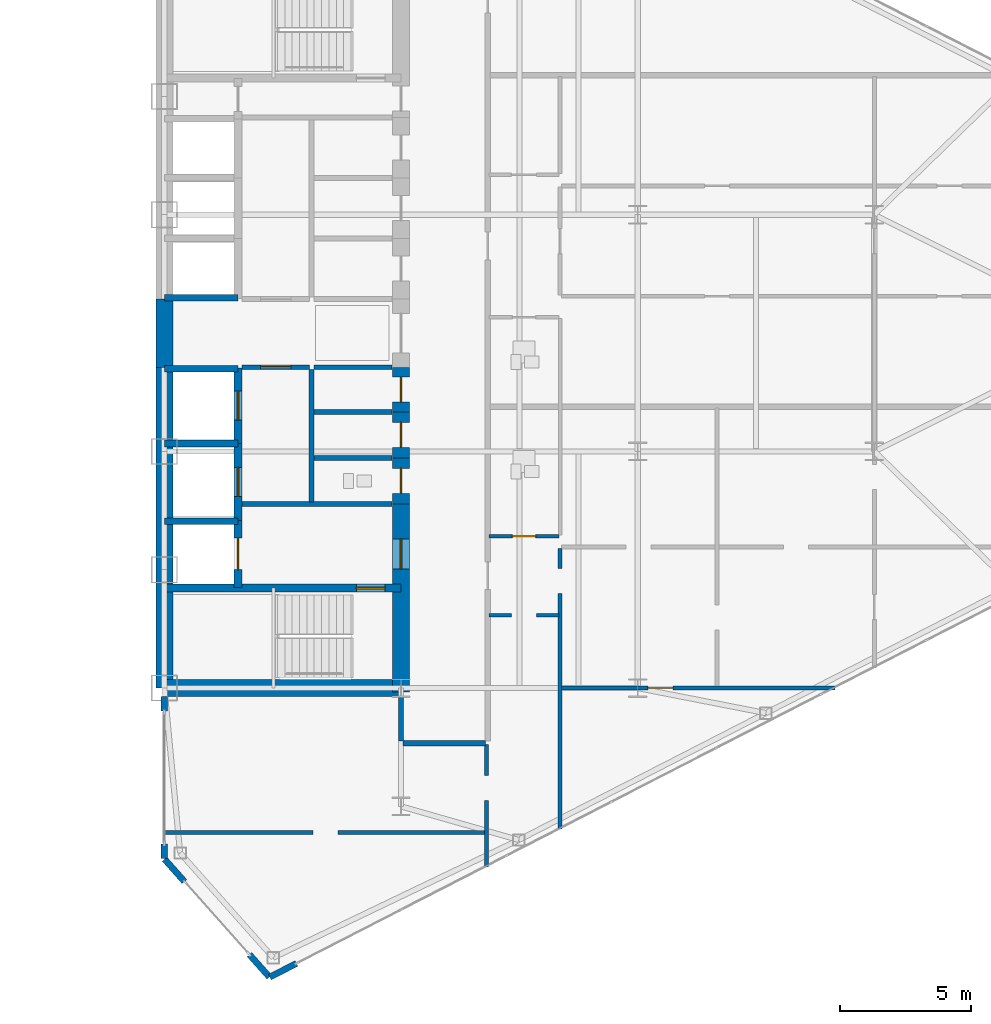
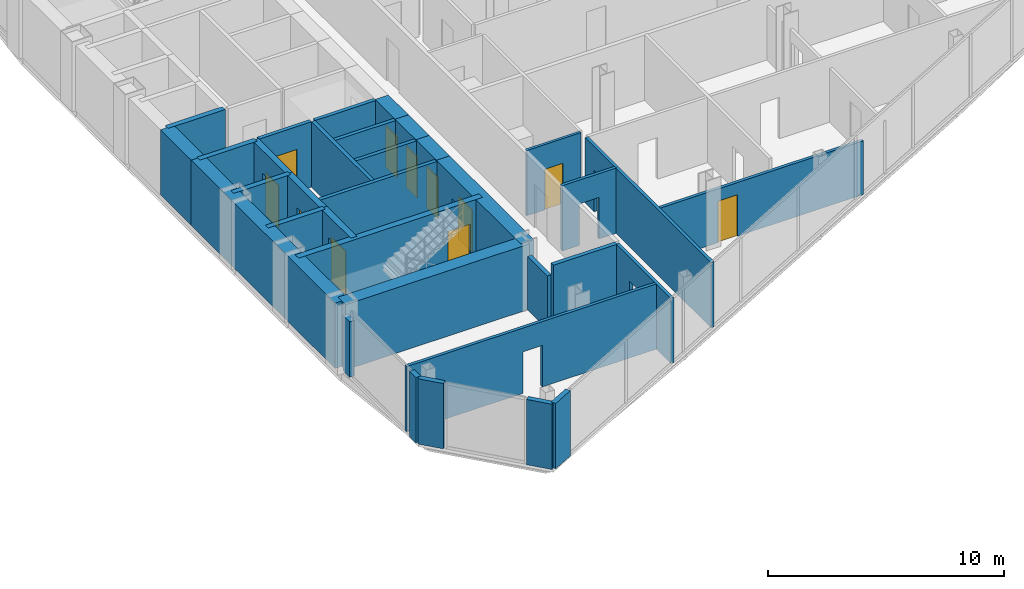
# One storey, part 19 of 24: 34 walls, 11 doors, 15 openings.
"""IFC4 building model written with IfcOpenShell, lengths in metres."""

from ifc_helpers import new_model, si_unit, direction, frame, frame_2d, origin, place, context, subcontext, project, spatial, rectangle, extrude, source, transform, mapped, material, layer, layer_set, type_object, type_shapes, element, fill, save


model = new_model("IFC4")

# Units and contexts
model_context = context("Model", 3, precision=1e-05, world=origin(), true_north=direction((0.0, 1.0)))
body_context = subcontext(model_context, "Body", "Model", "MODEL_VIEW")
ifc_project = project(units=[si_unit("LENGTHUNIT", "METRE"), si_unit("AREAUNIT", "SQUARE_METRE"), si_unit("VOLUMEUNIT", "CUBIC_METRE"), si_unit("PLANEANGLEUNIT", "RADIAN"), si_unit("MASSUNIT", "GRAM", prefix="KILO")], contexts=[model_context])

# Site, building, storey
site_placement = place(None, origin())
site = spatial("IfcSite", under=ifc_project, at=site_placement, CompositionType="ELEMENT")
building_placement = place(site_placement, origin())
building = spatial("IfcBuilding", under=site, at=building_placement, Name="Seokmaru Belvedere", CompositionType="ELEMENT")
storey_placement = place(building_placement, frame((0.0, 0.0, 121.199951171875)))
storey = spatial("IfcBuildingStorey", under=building, at=storey_placement, Name="L32", CompositionType="ELEMENT", Elevation=121.199951171875)

# Wall, opening
ifc_material_1 = material(Name="Fire-Rated Gypsum Shaftwall")
ifc_layer_1 = layer(ifc_material_1, 0.14990234375)
ifc_layer_set_1 = layer_set([ifc_layer_1], Name="Fire-Rated Gypsum Shaftwall")
wall_type_1 = type_object("IfcWallType", Name="Apartment Fire-Acoustic Room Partition 150", PredefinedType="PARTITIONING", material=ifc_layer_set_1)
wall_1_placement = place(storey_placement, frame((27.465087890625, -19.0, 0.0), z_axis=(0.0, 0.0, 1.0), x_axis=(1.0, 0.0, 0.0)))
wall_1 = element("IfcWall", 1, at=wall_1_placement, inside=storey, type_object=wall_type_1, Name="L32 Interior Partition 001", PredefinedType="PARTITIONING", context=body_context, shape_type="SweptSolid", body=[
    extrude(rectangle(XDim=12.23486328125, YDim=0.14990234375, at=frame_2d((6.117431640625, 0.0))), origin(), (0.0, 0.0, 1.0), 3.380126953125),
])
opening_1_placement = place(wall_1_placement, frame((5.68505859375, 0.0, 0.0)))
element("IfcOpeningElement", 2, at=opening_1_placement, cuts=wall_1, Name="L32 Cased Opening 041", PredefinedType="OPENING", context=body_context, shape_type="SweptSolid", body=[
    extrude(rectangle(XDim=0.949951171875, YDim=2.14990234375, at=frame_2d((0.47509765625, 1.074951171875))), frame((0.0, 0.0849609375, 0.0), z_axis=(0.0, -1.0, 0.0), x_axis=(1.0, 0.0, 0.0)), (0.0, 0.0, 1.0), 0.169921875),
])

# Wall, opening, door
wall_2_placement = place(storey_placement, frame((42.60009765625, -13.489990234375, 0.0), z_axis=(0.0, 0.0, 1.0), x_axis=(1.0, 0.0, 0.0)))
wall_2 = element("IfcWall", 3, at=wall_2_placement, inside=storey, type_object=wall_type_1, Name="L32 Interior Partition 004", PredefinedType="PARTITIONING", context=body_context, shape_type="SweptSolid", body=[
    extrude(rectangle(XDim=10.39697265625, YDim=0.14990234375, at=frame_2d((5.198486328125, 0.0))), origin(), (0.0, 0.0, 1.0), 2.780029296875),
])
opening_2_placement = place(wall_2_placement, frame((3.285400390625, 0.0, 0.0)))
opening_2 = element("IfcOpeningElement", 4, at=opening_2_placement, cuts=wall_2, Name="Opening D05", PredefinedType="OPENING", context=body_context, shape_type="SweptSolid", body=[
    extrude(rectangle(XDim=0.949951171875, YDim=2.14990234375, at=frame_2d((0.47509765625, 1.074951171875))), frame((0.0, 0.0849609375, 0.0), z_axis=(0.0, -1.0, 0.0), x_axis=(1.0, 0.0, 0.0)), (0.0, 0.0, 1.0), 0.169921875),
])
ifc_material_2 = material(Name="Engineered White Oak Timber", Category="wood")
door_type_1 = type_object("IfcDoorType", Name="Apartment Interior Fire-Rated Oak Door 950x2150", OperationType="NOTDEFINED", PredefinedType="DOOR", material=ifc_material_2)
shared_shape_1 = source(origin(), body_context, "Body", "SweptSolid", [
    extrude(rectangle(XDim=0.949951171875, YDim=2.14990234375, at=frame_2d((0.47509765625, 1.074951171875))), frame((0.0, 0.02490234375, 0.0), z_axis=(0.0, -1.0, 0.0), x_axis=(1.0, 0.0, 0.0)), (0.0, 0.0, 1.0), 0.050048828125),
])
type_shapes(door_type_1, [shared_shape_1])
door_1_placement = place(opening_2_placement, origin())
door_1 = element("IfcDoor", 5, at=door_1_placement, inside=storey, type_object=door_type_1, Name="L32 Interior Door 033", OperationType="SINGLE_SWING_RIGHT", OverallHeight=2.14990234375, OverallWidth=0.949951171875, PredefinedType="DOOR", context=body_context, shape_type="MappedRepresentation", body=[
    mapped(shared_shape_1, transform((0.0, 0.0, 0.0), scale=1.0)),
])
fill(opening_2, door_1)

# Wall, opening
wall_3_placement = place(storey_placement, frame((39.85009765625, -10.72998046875, 0.0), z_axis=(0.0, 0.0, 1.0), x_axis=(1.0, 0.0, 0.0)))
wall_3 = element("IfcWall", 6, at=wall_3_placement, inside=storey, type_object=wall_type_1, Name="L32 Interior Partition 005", PredefinedType="PARTITIONING", context=body_context, shape_type="SweptSolid", body=[
    extrude(rectangle(XDim=2.64990234375, YDim=0.14990234375, at=frame_2d((1.324951171875, 0.0))), origin(), (0.0, 0.0, 1.0), 3.380126953125),
])
opening_3_placement = place(wall_3_placement, frame((0.85009765625, 0.0, 0.0)))
element("IfcOpeningElement", 7, at=opening_3_placement, cuts=wall_3, Name="L32 Cased Opening 031", PredefinedType="OPENING", context=body_context, shape_type="SweptSolid", body=[
    extrude(rectangle(XDim=0.949951171875, YDim=2.14990234375, at=frame_2d((0.47509765625, 1.074951171875))), frame((0.0, 0.0849609375, 0.0), z_axis=(0.0, -1.0, 0.0), x_axis=(1.0, 0.0, 0.0)), (0.0, 0.0, 1.0), 0.169921875),
])

wall_4_placement = place(storey_placement, frame((39.75, -20.301025390625, 0.0), z_axis=(0.0, 0.0, 1.0), x_axis=(0.0, 1.0, 0.0)))
wall_4 = element("IfcWall", 8, at=wall_4_placement, inside=storey, type_object=wall_type_1, Name="L32 Interior Partition 039", PredefinedType="PARTITIONING", context=body_context, shape_type="SweptSolid", body=[
    extrude(rectangle(XDim=4.651123046875, YDim=0.14990234375, at=frame_2d((2.32568359375, 0.0))), origin(), (0.0, 0.0, 1.0), 3.380126953125),
])
opening_4_placement = place(wall_4_placement, frame((2.52587890625, 0.0, 0.0)))
element("IfcOpeningElement", 9, at=opening_4_placement, cuts=wall_4, Name="L32 Cased Opening 040", PredefinedType="OPENING", context=body_context, shape_type="SweptSolid", body=[
    extrude(rectangle(XDim=0.949951171875, YDim=2.14990234375, at=frame_2d((0.47509765625, 1.074951171875))), frame((0.0, 0.0849609375, 0.0), z_axis=(0.0, -1.0, 0.0), x_axis=(1.0, 0.0, 0.0)), (0.0, 0.0, 1.0), 0.169921875),
])

wall_5_placement = place(storey_placement, frame((42.550048828125, -18.864990234375, 0.0), z_axis=(0.0, 0.0, 1.0), x_axis=(0.0, 1.0, 0.0)))
wall_5 = element("IfcWall", 10, at=wall_5_placement, inside=storey, type_object=wall_type_1, Name="L32 Interior Partition 041", PredefinedType="PARTITIONING", context=body_context, shape_type="SweptSolid", body=[
    extrude(rectangle(XDim=10.671875, YDim=0.14990234375, at=frame_2d((5.3359375, 0.0))), origin(), (0.0, 0.0, 1.0), 3.380126953125),
])
opening_5_placement = place(wall_5_placement, frame((8.95458984375, 0.0, 0.0)))
element("IfcOpeningElement", 11, at=opening_5_placement, cuts=wall_5, Name="L32 Cased Opening 032", PredefinedType="OPENING", context=body_context, shape_type="SweptSolid", body=[
    extrude(rectangle(XDim=0.949951171875, YDim=2.14990234375, at=frame_2d((0.47509765625, 1.074951171875))), frame((0.0, 0.0849609375, 0.0), z_axis=(0.0, -1.0, 0.0), x_axis=(1.0, 0.0, 0.0)), (0.0, 0.0, 1.0), 0.169921875),
])

# Walls
ifc_layer_2 = layer(ifc_material_1, 0.179931640625)
ifc_layer_set_2 = layer_set([ifc_layer_2], Name="Fire-Rated Gypsum Shaftwall")
wall_type_2 = type_object("IfcWallType", Name="Core Service Fire Partition 180", PredefinedType="PARTITIONING", material=ifc_layer_set_2)
wall_6_placement = place(storey_placement, frame((30.449951171875, -6.5, 0.0), z_axis=(0.0, 0.0, 1.0), x_axis=(1.0, 0.0, 0.0)))
element("IfcWall", 12, at=wall_6_placement, inside=storey, type_object=wall_type_2, Name="L32 East Firefighting Lobby Partition", PredefinedType="PARTITIONING", context=body_context, shape_type="SweptSolid", body=[
    extrude(rectangle(XDim=5.699951171875, YDim=0.179931640625, at=frame_2d((2.85009765625, 0.0))), origin(), (0.0, 0.0, 1.0), 3.380126953125),
])
wall_7_placement = place(storey_placement, frame((33.10009765625, -6.419921875, 0.0), z_axis=(0.0, 0.0, 1.0), x_axis=(0.0, 1.0, 0.0)))
element("IfcWall", 13, at=wall_7_placement, inside=storey, type_object=wall_type_2, Name="L32 East South Core Service Back Wall", PredefinedType="PARTITIONING", context=body_context, shape_type="SweptSolid", body=[
    extrude(rectangle(XDim=5.0400390625, YDim=0.179931640625, at=frame_2d((2.52001953125, 0.0))), origin(), (0.0, 0.0, 1.0), 3.380126953125),
])

# Wall, opening, door
wall_8_placement = place(storey_placement, frame((30.449951171875, -1.300048828125, 0.0), z_axis=(0.0, 0.0, 1.0), x_axis=(1.0, 0.0, 0.0)))
wall_8 = element("IfcWall", 14, at=wall_8_placement, inside=storey, type_object=wall_type_2, Name="L32 East South Lift Lobby Foyer Wall", PredefinedType="PARTITIONING", context=body_context, shape_type="SweptSolid", body=[
    extrude(rectangle(XDim=2.570068359375, YDim=0.179931640625, at=frame_2d((1.28515625, 0.0))), origin(), (0.0, 0.0, 1.0), 3.380126953125),
])
opening_6_placement = place(wall_8_placement, frame((0.7099609375, 0.0, 0.0)))
opening_6 = element("IfcOpeningElement", 15, at=opening_6_placement, cuts=wall_8, Name="Opening D02", PredefinedType="OPENING", context=body_context, shape_type="SweptSolid", body=[
    extrude(rectangle(XDim=1.14990234375, YDim=2.199951171875, at=frame_2d((0.574951171875, 1.10009765625))), frame((0.0, 0.10009765625, 0.0), z_axis=(0.0, -1.0, 0.0), x_axis=(1.0, 0.0, 0.0)), (0.0, 0.0, 1.0), 0.199951171875),
])
ifc_material_3 = material(Name="Fire-Rated Steel Leaf", Category="steel")
door_type_2 = type_object("IfcDoorType", Name="Lobby and Vestibule Fire Door 1150x2200", OperationType="NOTDEFINED", PredefinedType="DOOR", material=ifc_material_3)
shared_shape_2 = source(origin(), body_context, "Body", "SweptSolid", [
    extrude(rectangle(XDim=1.14990234375, YDim=2.199951171875, at=frame_2d((0.574951171875, 1.10009765625))), frame((0.0, 0.02490234375, 0.0), z_axis=(0.0, -1.0, 0.0), x_axis=(1.0, 0.0, 0.0)), (0.0, 0.0, 1.0), 0.050048828125),
])
type_shapes(door_type_2, [shared_shape_2])
door_2_placement = place(opening_6_placement, origin())
door_2 = element("IfcDoor", 16, at=door_2_placement, inside=storey, type_object=door_type_2, Name="L32 East South Core Foyer Door", OperationType="SINGLE_SWING_RIGHT", OverallHeight=2.199951171875, OverallWidth=1.14990234375, PredefinedType="DOOR", context=body_context, shape_type="MappedRepresentation", body=[
    mapped(shared_shape_2, transform((0.0, 0.0, 0.0), scale=1.0)),
])
fill(opening_6, door_2)

# Walls
for number, where, z_axis, x_axis, name in (
    (17, (33.199951171875, -1.300048828125, 0.0), (0.0, 0.0, 1.0), (1.0, 0.0, 0.0), "L32 East Foyer Side Wall S"),
    (18, (33.199951171875, -4.75, 0.0), (0.0, 0.0, 1.0), (1.0, 0.0, 0.0), "L32 East Core Service Partition 1"),
    (19, (33.199951171875, -3.0, 0.0), (0.0, 0.0, 1.0), (1.0, 0.0, 0.0), "L32 East Core Service Partition 2"),
):
    element("IfcWall", number, at=place(storey_placement, frame(where, z_axis=z_axis, x_axis=x_axis)), inside=storey, type_object=wall_type_2, Name=name, PredefinedType="PARTITIONING", context=body_context, shape_type="SweptSolid", body=[
        extrude(rectangle(XDim=2.949951171875, YDim=0.179931640625, at=frame_2d((1.47509765625, 0.0))), origin(), (0.0, 0.0, 1.0), 3.380126953125),
    ])
ifc_material_4 = material(Name="Concrete C50 (50 MPa)", Category="concrete")
ifc_layer_3 = layer(ifc_material_4, 0.25)
ifc_layer_set_3 = layer_set([ifc_layer_3], Name="Concrete C50 (50 MPa)")
wall_type_3 = type_object("IfcWallType", Name="Hoistway Transverse Concrete Divider Wall 250", PredefinedType="SHEAR", material=ifc_layer_set_3)
for number, where, z_axis, x_axis, name in (
    (20, (27.5, -7.14990234375, 0.0), (0.0, 0.0, 1.0), (1.0, 0.0, 0.0), "L32 East Hoistway Divider Core Wall 1"),
    (21, (27.5, -4.199951171875, 0.0), (0.0, 0.0, 1.0), (1.0, 0.0, 0.0), "L32 East Hoistway Divider Core Wall 2"),
    (22, (27.5, -1.35009765625, 0.0), (0.0, 0.0, 1.0), (1.0, 0.0, 0.0), "L32 East Hoistway Divider Core Wall 3"),
    (23, (27.5, 1.35009765625, 0.0), (0.0, 0.0, 1.0), (1.0, 0.0, 0.0), "L32 East Hoistway Divider Core Wall 4"),
):
    element("IfcWall", number, at=place(storey_placement, frame(where, z_axis=z_axis, x_axis=x_axis)), inside=storey, type_object=wall_type_3, Name=name, PredefinedType="SHEAR", context=body_context, shape_type="SweptSolid", body=[
        extrude(rectangle(XDim=2.800048828125, YDim=0.25, at=frame_2d((1.39990234375, 0.0))), origin(), (0.0, 0.0, 1.0), 3.380126953125),
    ])
ifc_layer_4 = layer(ifc_material_1, 0.199951171875)
ifc_layer_set_4 = layer_set([ifc_layer_4], Name="Fire-Rated Gypsum Shaftwall")
wall_type_4 = type_object("IfcWallType", Name="Inter-Tenancy Fire Compartment Partition 200", PredefinedType="PARTITIONING", material=ifc_layer_set_4)
wall_9_placement = place(storey_placement, frame((36.5849609375, -15.60009765625, 0.0), z_axis=(0.0, 0.0, 1.0), x_axis=(1.0, 0.0, 0.0)))
element("IfcWall", 24, at=wall_9_placement, inside=storey, type_object=wall_type_4, Name="L32 Interior Partition 003", PredefinedType="PARTITIONING", context=body_context, shape_type="SweptSolid", body=[
    extrude(rectangle(XDim=3.130126953125, YDim=0.199951171875, at=frame_2d((1.56494140625, 0.0))), origin(), (0.0, 0.0, 1.0), 3.380126953125),
])
wall_10_placement = place(storey_placement, frame((36.5, -15.514892578125, 0.0), z_axis=(0.0, 0.0, 1.0), x_axis=(0.0, 1.0, 0.0)))
element("IfcWall", 25, at=wall_10_placement, inside=storey, type_object=wall_type_4, Name="L32 Interior Partition 037", PredefinedType="PARTITIONING", context=body_context, shape_type="SweptSolid", body=[
    extrude(rectangle(XDim=1.684814453125, YDim=0.199951171875, at=frame_2d((0.84228515625, 0.0))), origin(), (0.0, 0.0, 1.0), 2.780029296875),
])

# Wall, opening, door
ifc_layer_5 = layer(ifc_material_4, 0.300048828125)
ifc_layer_set_5 = layer_set([ifc_layer_5], Name="Concrete C50 (50 MPa)")
wall_type_5 = type_object("IfcWallType", Name="Internal Core Stair and Hoistway Wall 300", PredefinedType="SHEAR", material=ifc_layer_set_5)
wall_11_placement = place(storey_placement, frame((27.5, -9.699951171875, 0.0), z_axis=(0.0, 0.0, 1.0), x_axis=(1.0, 0.0, 0.0)))
wall_11 = element("IfcWall", 26, at=wall_11_placement, inside=storey, type_object=wall_type_5, Name="L32 East Stair ST-1 Enclosure Wall", PredefinedType="SHEAR", context=body_context, shape_type="SweptSolid", body=[
    extrude(rectangle(XDim=9.0, YDim=0.300048828125, at=frame_2d((4.5, 0.0))), origin(), (0.0, 0.0, 1.0), 3.380126953125),
])
opening_7_placement = place(wall_11_placement, frame((7.300048828125, 0.0, 0.0)))
opening_7 = element("IfcOpeningElement", 27, at=opening_7_placement, cuts=wall_11, Name="Opening D01", PredefinedType="OPENING", context=body_context, shape_type="SweptSolid", body=[
    extrude(rectangle(XDim=1.10009765625, YDim=2.199951171875, at=frame_2d((0.550048828125, 1.10009765625))), frame((0.0, 0.16015625, 0.0), z_axis=(0.0, -1.0, 0.0), x_axis=(1.0, 0.0, 0.0)), (0.0, 0.0, 1.0), 0.320068359375),
])
door_type_3 = type_object("IfcDoorType", Name="Special Escape Stair Smokeproof Fire Door 1100x2200", OperationType="NOTDEFINED", PredefinedType="DOOR", material=ifc_material_3)
shared_shape_3 = source(origin(), body_context, "Body", "SweptSolid", [
    extrude(rectangle(XDim=1.10009765625, YDim=2.199951171875, at=frame_2d((0.550048828125, 1.10009765625))), frame((0.0, 0.02490234375, 0.0), z_axis=(0.0, -1.0, 0.0), x_axis=(1.0, 0.0, 0.0)), (0.0, 0.0, 1.0), 0.050048828125),
])
type_shapes(door_type_3, [shared_shape_3])
door_3_placement = place(opening_7_placement, frame((1.10009765625, 0.0, 0.0), z_axis=(0.0, 0.0, 1.0), x_axis=(-1.0, 0.0, 0.0)))
door_3 = element("IfcDoor", 28, at=door_3_placement, inside=storey, type_object=door_type_3, Name="L32 East Special Escape Stair ST-1 Door", OperationType="SINGLE_SWING_RIGHT", OverallHeight=2.199951171875, OverallWidth=1.10009765625, PredefinedType="DOOR", context=body_context, shape_type="MappedRepresentation", body=[
    mapped(shared_shape_3, transform((0.0, 0.0, 0.0), scale=1.0)),
])
fill(opening_7, door_3)

wall_12_placement = place(storey_placement, frame((30.300048828125, -9.679931640625, 0.0), z_axis=(0.0, 0.0, 1.0), x_axis=(0.0, 1.0, 0.0)))
wall_12 = element("IfcWall", 29, at=wall_12_placement, inside=storey, type_object=wall_type_5, Name="L32 East Firefighting Lift Shaft Front Wall", PredefinedType="SHEAR", context=body_context, shape_type="SweptSolid", body=[
    extrude(rectangle(XDim=2.559814453125, YDim=0.300048828125, at=frame_2d((1.27978515625, 0.0))), origin(), (0.0, 0.0, 1.0), 3.380126953125),
])
opening_8_placement = place(wall_12_placement, frame((0.679931640625, 0.0, 0.0)))
opening_8 = element("IfcOpeningElement", 30, at=opening_8_placement, cuts=wall_12, Name="Opening LD2", PredefinedType="OPENING", context=body_context, shape_type="SweptSolid", body=[
    extrude(rectangle(XDim=1.199951171875, YDim=2.25, at=frame_2d((0.60009765625, 1.125))), frame((0.0, 0.16015625, 0.0), z_axis=(0.0, -1.0, 0.0), x_axis=(1.0, 0.0, 0.0)), (0.0, 0.0, 1.0), 0.320068359375),
])
ifc_material_5 = material(Name="Stainless Steel 316", Category="steel")
door_type_4 = type_object("IfcDoorType", Name="Firefighting Lift Sliding Landing Door 1200x2250", OperationType="DOUBLE_DOOR_SLIDING", PredefinedType="DOOR", material=ifc_material_5)
shared_shape_4 = source(origin(), body_context, "Body", "SweptSolid", [
    extrude(rectangle(XDim=1.199951171875, YDim=2.25, at=frame_2d((0.60009765625, 1.125))), frame((0.0, 0.02490234375, 0.0), z_axis=(0.0, -1.0, 0.0), x_axis=(1.0, 0.0, 0.0)), (0.0, 0.0, 1.0), 0.050048828125),
])
type_shapes(door_type_4, [shared_shape_4])
door_4_placement = place(opening_8_placement, origin())
door_4 = element("IfcDoor", 31, at=door_4_placement, inside=storey, type_object=door_type_4, Name="L32 East Firefighting Lift Landing Door", OperationType="DOUBLE_DOOR_SLIDING", OverallHeight=2.25, OverallWidth=1.199951171875, PredefinedType="DOOR", context=body_context, shape_type="MappedRepresentation", body=[
    mapped(shared_shape_4, transform((0.0, 0.0, 0.0), scale=1.0)),
])
fill(opening_8, door_4)

wall_13_placement = place(storey_placement, frame((30.300048828125, -7.1201171875, 0.0), z_axis=(0.0, 0.0, 1.0), x_axis=(0.0, 1.0, 0.0)))
wall_13 = element("IfcWall", 32, at=wall_13_placement, inside=storey, type_object=wall_type_5, Name="L32 East Low-Rise Lift PL-1 Front Wall", PredefinedType="SHEAR", context=body_context, shape_type="SweptSolid", body=[
    extrude(rectangle(XDim=2.920166015625, YDim=0.300048828125, at=frame_2d((1.4599609375, 0.0))), origin(), (0.0, 0.0, 1.0), 3.380126953125),
])
opening_9_placement = place(wall_13_placement, frame((0.909912109375, 0.0, 0.0)))
opening_9 = element("IfcOpeningElement", 33, at=opening_9_placement, cuts=wall_13, Name="Opening LD1", PredefinedType="OPENING", context=body_context, shape_type="SweptSolid", body=[
    extrude(rectangle(XDim=1.10009765625, YDim=2.199951171875, at=frame_2d((0.550048828125, 1.10009765625))), frame((0.0, 0.16015625, 0.0), z_axis=(0.0, -1.0, 0.0), x_axis=(1.0, 0.0, 0.0)), (0.0, 0.0, 1.0), 0.320068359375),
])
door_type_5 = type_object("IfcDoorType", Name="Passenger Lift Sliding Landing Door 1100x2200", OperationType="DOUBLE_DOOR_SLIDING", PredefinedType="DOOR", material=ifc_material_5)
shared_shape_5 = source(origin(), body_context, "Body", "SweptSolid", [
    extrude(rectangle(XDim=1.10009765625, YDim=2.199951171875, at=frame_2d((0.550048828125, 1.10009765625))), frame((0.0, 0.02490234375, 0.0), z_axis=(0.0, -1.0, 0.0), x_axis=(1.0, 0.0, 0.0)), (0.0, 0.0, 1.0), 0.050048828125),
])
type_shapes(door_type_5, [shared_shape_5])
door_5_placement = place(opening_9_placement, origin())
door_5 = element("IfcDoor", 34, at=door_5_placement, inside=storey, type_object=door_type_5, Name="L32 East Low-Rise Lift PL-1 Landing Door", OperationType="DOUBLE_DOOR_SLIDING", OverallHeight=2.199951171875, OverallWidth=1.10009765625, PredefinedType="DOOR", context=body_context, shape_type="MappedRepresentation", body=[
    mapped(shared_shape_5, transform((0.0, 0.0, 0.0), scale=1.0)),
])
fill(opening_9, door_5)

wall_14_placement = place(storey_placement, frame((30.300048828125, -4.199951171875, 0.0), z_axis=(0.0, 0.0, 1.0), x_axis=(0.0, 1.0, 0.0)))
wall_14 = element("IfcWall", 35, at=wall_14_placement, inside=storey, type_object=wall_type_5, Name="L32 East Low-Rise Lift PL-2 Front Wall", PredefinedType="SHEAR", context=body_context, shape_type="SweptSolid", body=[
    extrude(rectangle(XDim=2.8798828125, YDim=0.300048828125, at=frame_2d((1.43994140625, 0.0))), origin(), (0.0, 0.0, 1.0), 3.380126953125),
])
opening_10_placement = place(wall_14_placement, frame((0.889892578125, 0.0, 0.0)))
opening_10 = element("IfcOpeningElement", 36, at=opening_10_placement, cuts=wall_14, Name="Opening LD1", PredefinedType="OPENING", context=body_context, shape_type="SweptSolid", body=[
    extrude(rectangle(XDim=1.10009765625, YDim=2.199951171875, at=frame_2d((0.550048828125, 1.10009765625))), frame((0.0, 0.16015625, 0.0), z_axis=(0.0, -1.0, 0.0), x_axis=(1.0, 0.0, 0.0)), (0.0, 0.0, 1.0), 0.320068359375),
])
door_6_placement = place(opening_10_placement, origin())
door_6 = element("IfcDoor", 37, at=door_6_placement, inside=storey, type_object=door_type_5, Name="L32 East Low-Rise Lift PL-2 Landing Door", OperationType="DOUBLE_DOOR_SLIDING", OverallHeight=2.199951171875, OverallWidth=1.10009765625, PredefinedType="DOOR", context=body_context, shape_type="MappedRepresentation", body=[
    mapped(shared_shape_5, transform((0.0, 0.0, 0.0), scale=1.0)),
])
fill(opening_10, door_6)

# Walls
ifc_material_6 = material(Name="Concrete C60 (60 MPa)", Category="concrete")
ifc_layer_6 = layer(ifc_material_6, 0.64990234375)
ifc_layer_set_6 = layer_set([ifc_layer_6], Name="Concrete C60 (60 MPa)")
wall_type_6 = type_object("IfcWallType", Name="Mid-Low Reinforced Concrete Core Wall 650", PredefinedType="SHEAR", material=ifc_layer_set_6)
wall_15_placement = place(storey_placement, frame((27.5, -13.5, 0.0), z_axis=(0.0, 0.0, 1.0), x_axis=(0.0, 1.0, 0.0)))
element("IfcWall", 38, at=wall_15_placement, inside=storey, type_object=wall_type_6, Name="L32 East Portal Spine Core Wall South", PredefinedType="SHEAR", context=body_context, shape_type="SweptSolid", body=[
    extrude(rectangle(XDim=12.199951171875, YDim=0.64990234375, at=frame_2d((6.10009765625, 0.0))), origin(), (0.0, 0.0, 1.0), 3.380126953125),
])
wall_16_placement = place(storey_placement, frame((27.5, -1.300048828125, 0.0), z_axis=(0.0, 0.0, 1.0), x_axis=(0.0, 1.0, 0.0)))
element("IfcWall", 39, at=wall_16_placement, inside=storey, type_object=wall_type_6, Name="L32 East Portal Spine Core Wall Center", PredefinedType="SHEAR", context=body_context, shape_type="SweptSolid", body=[
    extrude(rectangle(XDim=2.60009765625, YDim=0.64990234375, at=frame_2d((1.300048828125, 0.0))), origin(), (0.0, 0.0, 1.0), 3.380126953125),
])
wall_17_placement = place(storey_placement, frame((27.5, -13.5, 0.0), z_axis=(0.0, 0.0, 1.0), x_axis=(1.0, 0.0, 0.0)))
element("IfcWall", 40, at=wall_17_placement, inside=storey, type_object=wall_type_6, Name="L32 East South Core Wall", PredefinedType="SHEAR", context=body_context, shape_type="SweptSolid", body=[
    extrude(rectangle(XDim=9.0, YDim=0.64990234375, at=frame_2d((4.5, 0.0))), origin(), (0.0, 0.0, 1.0), 3.380126953125),
])

# Wall, opening, door
wall_18_placement = place(storey_placement, frame((36.5, -13.64990234375, 0.0), z_axis=(0.0, 0.0, 1.0), x_axis=(0.0, 1.0, 0.0)))
wall_18 = element("IfcWall", 41, at=wall_18_placement, inside=storey, type_object=wall_type_6, Name="L32 East West Core Wall FF", PredefinedType="SHEAR", context=body_context, shape_type="SweptSolid", body=[
    extrude(rectangle(XDim=7.14990234375, YDim=0.64990234375, at=frame_2d((3.574951171875, 0.0))), origin(), (0.0, 0.0, 1.0), 3.380126953125),
])
opening_11_placement = place(wall_18_placement, frame((4.675048828125, 0.0, 0.0)))
opening_11 = element("IfcOpeningElement", 42, at=opening_11_placement, cuts=wall_18, Name="Opening D02", PredefinedType="OPENING", context=body_context, shape_type="SweptSolid", body=[
    extrude(rectangle(XDim=1.14990234375, YDim=2.199951171875, at=frame_2d((0.574951171875, 1.10009765625))), frame((0.0, 0.3349609375, 0.0), z_axis=(0.0, -1.0, 0.0), x_axis=(1.0, 0.0, 0.0)), (0.0, 0.0, 1.0), 0.669921875),
])
door_7_placement = place(opening_11_placement, origin())
door_7 = element("IfcDoor", 43, at=door_7_placement, inside=storey, type_object=door_type_2, Name="L32 East Firefighting Lobby Door", OperationType="SINGLE_SWING_RIGHT", OverallHeight=2.199951171875, OverallWidth=1.14990234375, PredefinedType="DOOR", context=body_context, shape_type="MappedRepresentation", body=[
    mapped(shared_shape_2, transform((0.0, 0.0, 0.0), scale=1.0)),
])
fill(opening_11, door_7)

wall_19_placement = place(storey_placement, frame((36.5, -6.5, 0.0), z_axis=(0.0, 0.0, 1.0), x_axis=(0.0, 1.0, 0.0)))
wall_19 = element("IfcWall", 44, at=wall_19_placement, inside=storey, type_object=wall_type_6, Name="L32 East West Core Wall CS1", PredefinedType="SHEAR", context=body_context, shape_type="SweptSolid", body=[
    extrude(rectangle(XDim=1.75, YDim=0.64990234375, at=frame_2d((0.875, 0.0))), origin(), (0.0, 0.0, 1.0), 3.380126953125),
])
opening_12_placement = place(wall_19_placement, frame((0.39990234375, 0.0, 0.0)))
opening_12 = element("IfcOpeningElement", 45, at=opening_12_placement, cuts=wall_19, Name="Opening D04", PredefinedType="OPENING", context=body_context, shape_type="SweptSolid", body=[
    extrude(rectangle(XDim=0.949951171875, YDim=2.14990234375, at=frame_2d((0.47509765625, 1.074951171875))), frame((0.0, 0.3349609375, 0.0), z_axis=(0.0, -1.0, 0.0), x_axis=(1.0, 0.0, 0.0)), (0.0, 0.0, 1.0), 0.669921875),
])
door_type_6 = type_object("IfcDoorType", Name="Core Service Room Fire Door 950x2150", OperationType="NOTDEFINED", PredefinedType="DOOR", material=ifc_material_3)
shared_shape_6 = source(origin(), body_context, "Body", "SweptSolid", [
    extrude(rectangle(XDim=0.949951171875, YDim=2.14990234375, at=frame_2d((0.47509765625, 1.074951171875))), frame((0.0, 0.02490234375, 0.0), z_axis=(0.0, -1.0, 0.0), x_axis=(1.0, 0.0, 0.0)), (0.0, 0.0, 1.0), 0.050048828125),
])
type_shapes(door_type_6, [shared_shape_6])
door_8_placement = place(opening_12_placement, origin())
door_8 = element("IfcDoor", 46, at=door_8_placement, inside=storey, type_object=door_type_6, Name="L32 East Core Service Room Door 1", OperationType="SINGLE_SWING_RIGHT", OverallHeight=2.14990234375, OverallWidth=0.949951171875, PredefinedType="DOOR", context=body_context, shape_type="MappedRepresentation", body=[
    mapped(shared_shape_6, transform((0.0, 0.0, 0.0), scale=1.0)),
])
fill(opening_12, door_8)

wall_20_placement = place(storey_placement, frame((36.5, -4.75, 0.0), z_axis=(0.0, 0.0, 1.0), x_axis=(0.0, 1.0, 0.0)))
wall_20 = element("IfcWall", 47, at=wall_20_placement, inside=storey, type_object=wall_type_6, Name="L32 East West Core Wall CS2", PredefinedType="SHEAR", context=body_context, shape_type="SweptSolid", body=[
    extrude(rectangle(XDim=1.75, YDim=0.64990234375, at=frame_2d((0.875, 0.0))), origin(), (0.0, 0.0, 1.0), 3.380126953125),
])
opening_13_placement = place(wall_20_placement, frame((0.39990234375, 0.0, 0.0)))
opening_13 = element("IfcOpeningElement", 48, at=opening_13_placement, cuts=wall_20, Name="Opening D04", PredefinedType="OPENING", context=body_context, shape_type="SweptSolid", body=[
    extrude(rectangle(XDim=0.949951171875, YDim=2.14990234375, at=frame_2d((0.47509765625, 1.074951171875))), frame((0.0, 0.3349609375, 0.0), z_axis=(0.0, -1.0, 0.0), x_axis=(1.0, 0.0, 0.0)), (0.0, 0.0, 1.0), 0.669921875),
])
door_9_placement = place(opening_13_placement, origin())
door_9 = element("IfcDoor", 49, at=door_9_placement, inside=storey, type_object=door_type_6, Name="L32 East Core Service Room Door 2", OperationType="SINGLE_SWING_LEFT", OverallHeight=2.14990234375, OverallWidth=0.949951171875, PredefinedType="DOOR", context=body_context, shape_type="MappedRepresentation", body=[
    mapped(shared_shape_6, transform((0.0, 0.0, 0.0), scale=1.0)),
])
fill(opening_13, door_9)

wall_21_placement = place(storey_placement, frame((36.5, -3.0, 0.0), z_axis=(0.0, 0.0, 1.0), x_axis=(0.0, 1.0, 0.0)))
wall_21 = element("IfcWall", 50, at=wall_21_placement, inside=storey, type_object=wall_type_6, Name="L32 East West Core Wall CS3", PredefinedType="SHEAR", context=body_context, shape_type="SweptSolid", body=[
    extrude(rectangle(XDim=1.699951171875, YDim=0.64990234375, at=frame_2d((0.85009765625, 0.0))), origin(), (0.0, 0.0, 1.0), 3.380126953125),
])
opening_14_placement = place(wall_21_placement, frame((0.375, 0.0, 0.0)))
opening_14 = element("IfcOpeningElement", 51, at=opening_14_placement, cuts=wall_21, Name="Opening D04", PredefinedType="OPENING", context=body_context, shape_type="SweptSolid", body=[
    extrude(rectangle(XDim=0.949951171875, YDim=2.14990234375, at=frame_2d((0.47509765625, 1.074951171875))), frame((0.0, 0.3349609375, 0.0), z_axis=(0.0, -1.0, 0.0), x_axis=(1.0, 0.0, 0.0)), (0.0, 0.0, 1.0), 0.669921875),
])
door_10_placement = place(opening_14_placement, origin())
door_10 = element("IfcDoor", 52, at=door_10_placement, inside=storey, type_object=door_type_6, Name="L32 East Core Service Room Door 3", OperationType="SINGLE_SWING_RIGHT", OverallHeight=2.14990234375, OverallWidth=0.949951171875, PredefinedType="DOOR", context=body_context, shape_type="MappedRepresentation", body=[
    mapped(shared_shape_6, transform((0.0, 0.0, 0.0), scale=1.0)),
])
fill(opening_14, door_10)

ifc_layer_7 = layer(ifc_material_1, 0.1298828125)
ifc_layer_set_7 = layer_set([ifc_layer_7], Name="Fire-Rated Gypsum Shaftwall")
wall_type_7 = type_object("IfcWallType", Name="Moisture-Resistant Fire-Rated Bathroom Partition 130", PredefinedType="PARTITIONING", material=ifc_layer_set_7)
wall_22_placement = place(storey_placement, frame((39.85009765625, -7.72998046875, 0.0), z_axis=(0.0, 0.0, 1.0), x_axis=(1.0, 0.0, 0.0)))
wall_22 = element("IfcWall", 53, at=wall_22_placement, inside=storey, type_object=wall_type_7, Name="L32 Interior Partition 008", PredefinedType="PARTITIONING", context=body_context, shape_type="SweptSolid", body=[
    extrude(rectangle(XDim=2.64990234375, YDim=0.1298828125, at=frame_2d((1.324951171875, 0.0))), origin(), (0.0, 0.0, 1.0), 3.380126953125),
])
opening_15_placement = place(wall_22_placement, frame((0.885009765625, 0.0, 0.0)))
opening_15 = element("IfcOpeningElement", 54, at=opening_15_placement, cuts=wall_22, Name="Opening D06", PredefinedType="OPENING", context=body_context, shape_type="SweptSolid", body=[
    extrude(rectangle(XDim=0.8798828125, YDim=2.10009765625, at=frame_2d((0.43994140625, 1.050048828125))), frame((0.0, 0.074951171875, 0.0), z_axis=(0.0, -1.0, 0.0), x_axis=(1.0, 0.0, 0.0)), (0.0, 0.0, 1.0), 0.14990234375),
])
door_type_7 = type_object("IfcDoorType", Name="Bathroom and Restroom Fire-Rated Door 880x2100", OperationType="NOTDEFINED", PredefinedType="DOOR", material=ifc_material_2)
shared_shape_7 = source(origin(), body_context, "Body", "SweptSolid", [
    extrude(rectangle(XDim=0.8798828125, YDim=2.10009765625, at=frame_2d((0.43994140625, 1.050048828125))), frame((0.0, 0.02490234375, 0.0), z_axis=(0.0, -1.0, 0.0), x_axis=(1.0, 0.0, 0.0)), (0.0, 0.0, 1.0), 0.050048828125),
])
type_shapes(door_type_7, [shared_shape_7])
door_11_placement = place(opening_15_placement, origin())
door_11 = element("IfcDoor", 55, at=door_11_placement, inside=storey, type_object=door_type_7, Name="L32 Interior Door 030", OperationType="SINGLE_SWING_RIGHT", OverallHeight=2.10009765625, OverallWidth=0.8798828125, PredefinedType="DOOR", context=body_context, shape_type="MappedRepresentation", body=[
    mapped(shared_shape_7, transform((0.0, 0.0, 0.0), scale=1.0)),
])
fill(opening_15, door_11)

# Walls
ifc_material_7 = material(Name="Anodised Bronze Aluminium", Category="aluminium")
ifc_layer_8 = layer(ifc_material_7, 0.239990234375)
ifc_layer_set_8 = layer_set([ifc_layer_8], Name="Anodised Bronze Aluminium")
wall_type_8 = type_object("IfcWallType", Name="Tower Corner Spandrel Closure Wall 240", PredefinedType="SOLIDWALL", material=ifc_layer_set_8)
wall_23_placement = place(storey_placement, frame((31.5087890625, -24.495361328125, 0.0), z_axis=(0.0, 0.0, 1.0), x_axis=(0.889797395748, 0.456355776255, 0.0)))
element("IfcWall", 56, at=wall_23_placement, inside=storey, type_object=wall_type_8, Name="L32 E Corner Closure Pier 1A", PredefinedType="SOLIDWALL", context=body_context, shape_type="SweptSolid", body=[
    extrude(rectangle(XDim=1.14013671875, YDim=0.239990234375, at=frame_2d((0.570068359375, 0.0))), origin(), (0.0, 0.0, 1.0), 3.380126953125),
])
wall_24_placement = place(storey_placement, frame((27.5, -19.97998046875, 0.0), z_axis=(0.0, 0.0, 1.0), x_axis=(0.0, 1.0, 0.0)))
element("IfcWall", 57, at=wall_24_placement, inside=storey, type_object=wall_type_8, Name="L32 E Spine Closure Pier 1A", PredefinedType="SOLIDWALL", context=body_context, shape_type="SweptSolid", body=[
    extrude(rectangle(XDim=0.550048828125, YDim=0.239990234375, at=frame_2d((0.27490234375, 0.0))), origin(), (0.0, 0.0, 1.0), 3.380126953125),
])
wall_25_placement = place(storey_placement, frame((27.5, -14.3798828125, 0.0), z_axis=(0.0, 0.0, 1.0), x_axis=(0.0, 1.0, 0.0)))
element("IfcWall", 58, at=wall_25_placement, inside=storey, type_object=wall_type_8, Name="L32 E Spine Closure Pier 1B", PredefinedType="SOLIDWALL", context=body_context, shape_type="SweptSolid", body=[
    extrude(rectangle(XDim=0.5498046875, YDim=0.239990234375, at=frame_2d((0.27490234375, 0.0))), origin(), (0.0, 0.0, 1.0), 2.880126953125),
])
for number, where, z_axis, x_axis, name in (
    (59, (27.506591796875, -20.007568359375, 0.0), (0.0, 0.0, 1.0), (0.664337252513, -0.747432950119, 0.0), "L32 E Corner Closure Pier 6A"),
    (60, (30.736083984375, -23.640380859375, 0.0), (0.0, 0.0, 1.0), (0.664337252513, -0.747432950119, 0.0), "L32 E Corner Closure Pier 6B"),
):
    element("IfcWall", number, at=place(storey_placement, frame(where, z_axis=z_axis, x_axis=x_axis)), inside=storey, type_object=wall_type_8, Name=name, PredefinedType="SOLIDWALL", context=body_context, shape_type="SweptSolid", body=[
        extrude(rectangle(XDim=1.139892578125, YDim=0.239990234375, at=frame_2d((0.56982421875, 0.0))), origin(), (0.0, 0.0, 1.0), 3.380126953125),
    ])

save(model, "model.ifc")
